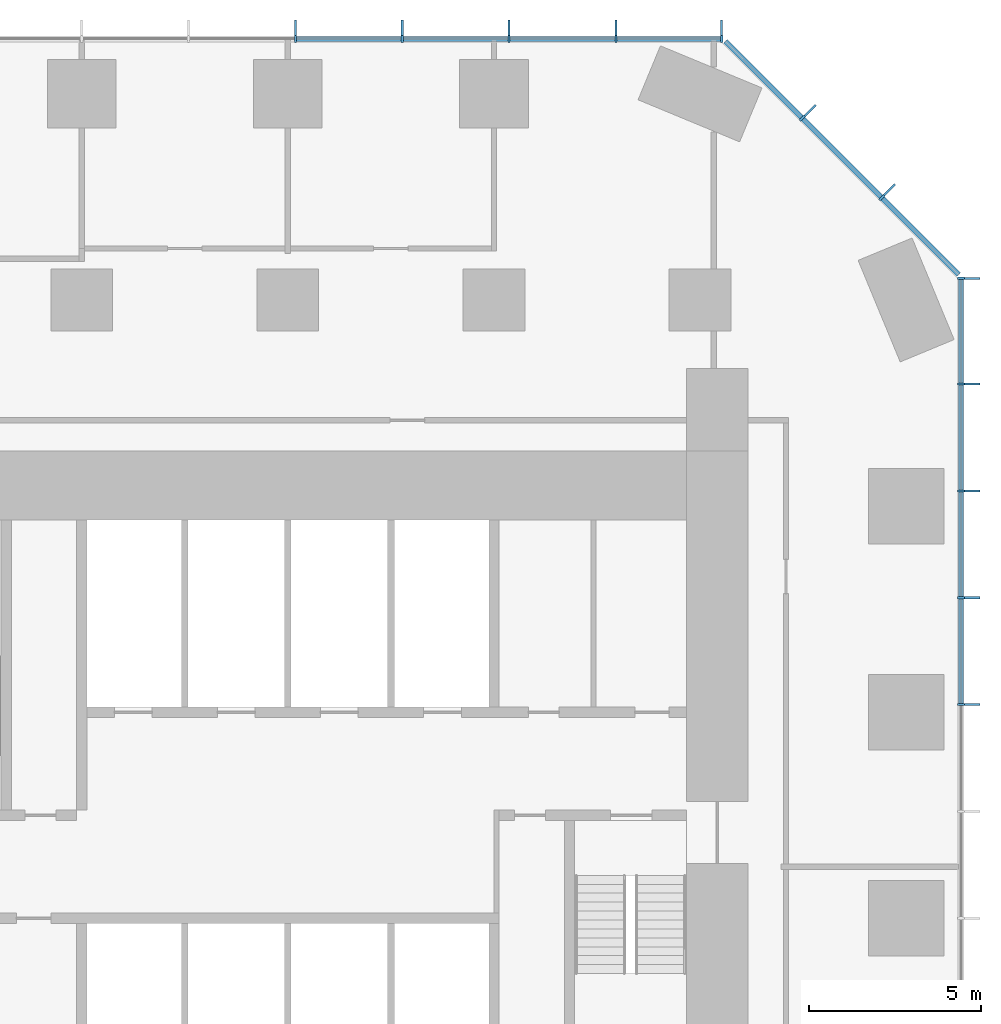
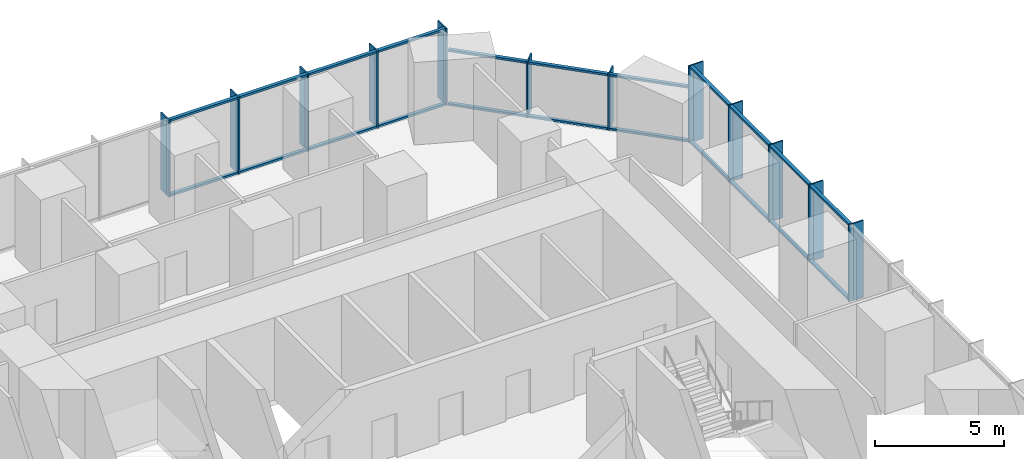
# One storey, part 6 of 12: 46 members, 3 elements without a shape of their own.
"""IFC4 building model written with IfcOpenShell, lengths in metres."""

from ifc_helpers import new_model, si_unit, direction, frame, origin, origin_2d, place, context, subcontext, project, spatial, rectangle, extrude, material, layer, layer_set, material_profile, profile_set, type_object, element, aggregate, save


model = new_model("IFC4")

# Units and contexts
model_context = context("Model", 3, precision=1e-05, world=origin(), true_north=direction((0.0, 1.0)))
body_context = subcontext(model_context, "Body", "Model", "MODEL_VIEW")
ifc_project = project(units=[si_unit("LENGTHUNIT", "METRE"), si_unit("AREAUNIT", "SQUARE_METRE"), si_unit("VOLUMEUNIT", "CUBIC_METRE"), si_unit("PLANEANGLEUNIT", "RADIAN"), si_unit("MASSUNIT", "GRAM", prefix="KILO")], contexts=[model_context])

# Site, building, storey
site_placement = place(None, origin())
site = spatial("IfcSite", under=ifc_project, at=site_placement, CompositionType="ELEMENT")
building_placement = place(site_placement, origin())
building = spatial("IfcBuilding", under=site, at=building_placement, Name="Highveld Stack Headquarters", CompositionType="ELEMENT")
storey_placement = place(building_placement, frame((0.0, 0.0, 37.699951171875)))
storey = spatial("IfcBuildingStorey", under=building, at=storey_placement, Name="L08", CompositionType="ELEMENT", Elevation=37.699951171875)

# Curtain wall, members
ifc_material_1 = material(Name="Aluminium bronze anodised", Category="aluminium")
ifc_layer_1 = layer(ifc_material_1, 0.199951171875)
ifc_layer_set_1 = layer_set([ifc_layer_1], Name="Aluminium bronze anodised")
curtain_wall_type_1 = type_object("IfcCurtainWallType", Name="CW1 TOWER UNITISED CURTAIN WALL", PredefinedType="NOTDEFINED", material=ifc_layer_set_1)
curtain_wall_1_placement = place(storey_placement, origin())
curtain_wall_1 = element("IfcCurtainWall", 1, at=curtain_wall_1_placement, inside=storey, type_object=curtain_wall_type_1, Name="Curtain wall CW1 L08 E", PredefinedType="NOTDEFINED")
ifc_material_2 = material(Name="Aluminium bronze anodised", Category="aluminium")
ifc_material_profile_1 = material_profile(ifc_material_2, rectangle(XDim=0.449951171875, YDim=0.06005859375, at=origin_2d()), Name="FIN 450x60")
ifc_profile_set_1 = profile_set([ifc_material_profile_1], Name="Aluminium bronze anodised")
member_type_1 = type_object("IfcMemberType", Name="CW1 BRONZE FIN 450x60", PredefinedType="USERDEFINED", material=ifc_profile_set_1)
member_1_placement = place(storey_placement, frame((25.925048828125, 6.220947265625, 0.0), z_axis=(0.0, 0.0, 1.0), x_axis=(-1.0, 0.0, 0.0)))
member_1 = element("IfcMember", 2, at=member_1_placement, type_object=member_type_1, Name="CW1 fin L08 9", ObjectType="FIN", PredefinedType="USERDEFINED", context=body_context, shape_type="SweptSolid", body=[
    extrude(rectangle(XDim=0.449951171875, YDim=0.06005859375, at=origin_2d()), origin(), (0.0, 0.0, 1.0), 3.650146484375),
])
member_2_placement = place(storey_placement, frame((25.925048828125, 9.331298828125, 0.0), z_axis=(0.0, 0.0, 1.0), x_axis=(-1.0, 0.0, 0.0)))
member_2 = element("IfcMember", 3, at=member_2_placement, type_object=member_type_1, Name="CW1 fin L08 10", ObjectType="FIN", PredefinedType="USERDEFINED", context=body_context, shape_type="SweptSolid", body=[
    extrude(rectangle(XDim=0.449951171875, YDim=0.06005859375, at=origin_2d()), origin(), (0.0, 0.0, 1.0), 3.650146484375),
])
member_3_placement = place(storey_placement, frame((25.925048828125, 12.44189453125, 0.0), z_axis=(0.0, 0.0, 1.0), x_axis=(-1.0, 0.0, 0.0)))
member_3 = element("IfcMember", 4, at=member_3_placement, type_object=member_type_1, Name="CW1 fin L08 11", ObjectType="FIN", PredefinedType="USERDEFINED", context=body_context, shape_type="SweptSolid", body=[
    extrude(rectangle(XDim=0.449951171875, YDim=0.06005859375, at=origin_2d()), origin(), (0.0, 0.0, 1.0), 3.650146484375),
])
member_4_placement = place(storey_placement, frame((25.925048828125, 15.55224609375, 0.0), z_axis=(0.0, 0.0, 1.0), x_axis=(-1.0, 0.0, 0.0)))
member_4 = element("IfcMember", 5, at=member_4_placement, type_object=member_type_1, Name="CW1 fin L08 12", ObjectType="FIN", PredefinedType="USERDEFINED", context=body_context, shape_type="SweptSolid", body=[
    extrude(rectangle(XDim=0.449951171875, YDim=0.06005859375, at=origin_2d()), origin(), (0.0, 0.0, 1.0), 3.650146484375),
])
member_5_placement = place(storey_placement, frame((25.925048828125, 18.630126953125, 0.0), z_axis=(0.0, 0.0, 1.0), x_axis=(-1.0, 0.0, 0.0)))
member_5 = element("IfcMember", 6, at=member_5_placement, type_object=member_type_1, Name="CW1 fin L08 13", ObjectType="FIN", PredefinedType="USERDEFINED", context=body_context, shape_type="SweptSolid", body=[
    extrude(rectangle(XDim=0.449951171875, YDim=0.06005859375, at=origin_2d()), origin(), (0.0, 0.0, 1.0), 3.650146484375),
])

curtain_wall_2_placement = place(storey_placement, origin())
curtain_wall_2 = element("IfcCurtainWall", 7, at=curtain_wall_2_placement, inside=storey, type_object=curtain_wall_type_1, Name="Curtain wall CW1 L08 N", PredefinedType="NOTDEFINED")
member_6_placement = place(storey_placement, frame((18.630126953125, 25.925048828125, 0.0), z_axis=(0.0, 0.0, 1.0), x_axis=(0.0, -1.0, 0.0)))
member_6 = element("IfcMember", 8, at=member_6_placement, type_object=member_type_1, Name="CW1 fin L08 1", ObjectType="FIN", PredefinedType="USERDEFINED", context=body_context, shape_type="SweptSolid", body=[
    extrude(rectangle(XDim=0.449951171875, YDim=0.06005859375, at=origin_2d()), origin(), (0.0, 0.0, 1.0), 3.650146484375),
])
member_7_placement = place(storey_placement, frame((15.55224609375, 25.925048828125, 0.0), z_axis=(0.0, 0.0, 1.0), x_axis=(0.0, -1.0, 0.0)))
member_7 = element("IfcMember", 9, at=member_7_placement, type_object=member_type_1, Name="CW1 fin L08 2", ObjectType="FIN", PredefinedType="USERDEFINED", context=body_context, shape_type="SweptSolid", body=[
    extrude(rectangle(XDim=0.449951171875, YDim=0.06005859375, at=origin_2d()), origin(), (0.0, 0.0, 1.0), 3.650146484375),
])
member_8_placement = place(storey_placement, frame((12.44189453125, 25.925048828125, 0.0), z_axis=(0.0, 0.0, 1.0), x_axis=(0.0, -1.0, 0.0)))
member_8 = element("IfcMember", 10, at=member_8_placement, type_object=member_type_1, Name="CW1 fin L08 3", ObjectType="FIN", PredefinedType="USERDEFINED", context=body_context, shape_type="SweptSolid", body=[
    extrude(rectangle(XDim=0.449951171875, YDim=0.06005859375, at=origin_2d()), origin(), (0.0, 0.0, 1.0), 3.650146484375),
])
member_9_placement = place(storey_placement, frame((9.331298828125, 25.925048828125, 0.0), z_axis=(0.0, 0.0, 1.0), x_axis=(0.0, -1.0, 0.0)))
member_9 = element("IfcMember", 11, at=member_9_placement, type_object=member_type_1, Name="CW1 fin L08 4", ObjectType="FIN", PredefinedType="USERDEFINED", context=body_context, shape_type="SweptSolid", body=[
    extrude(rectangle(XDim=0.449951171875, YDim=0.06005859375, at=origin_2d()), origin(), (0.0, 0.0, 1.0), 3.650146484375),
])
member_10_placement = place(storey_placement, frame((6.220947265625, 25.925048828125, 0.0), z_axis=(0.0, 0.0, 1.0), x_axis=(0.0, -1.0, 0.0)))
member_10 = element("IfcMember", 12, at=member_10_placement, type_object=member_type_1, Name="CW1 fin L08 5", ObjectType="FIN", PredefinedType="USERDEFINED", context=body_context, shape_type="SweptSolid", body=[
    extrude(rectangle(XDim=0.449951171875, YDim=0.06005859375, at=origin_2d()), origin(), (0.0, 0.0, 1.0), 3.650146484375),
])

# Member
ifc_material_3 = material(Name="Aluminium bronze anodised", Category="aluminium")
ifc_material_profile_2 = material_profile(ifc_material_3, rectangle(XDim=0.199951171875, YDim=0.06494140625, at=origin_2d()), Name="CW1 MULLION 65x200")
ifc_profile_set_2 = profile_set([ifc_material_profile_2], Name="Aluminium bronze anodised")
member_type_2 = type_object("IfcMemberType", Name="CW1 MULLION 65x200", PredefinedType="MULLION", material=ifc_profile_set_2)
member_11_placement = place(storey_placement, frame((25.60009765625, 6.220947265625, 0.0), z_axis=(0.0, 0.0, 1.0), x_axis=(-1.0, 0.0, 0.0)))
member_11 = element("IfcMember", 13, at=member_11_placement, type_object=member_type_2, Name="CW1 mullion L08 9", PredefinedType="MULLION", context=body_context, shape_type="SweptSolid", body=[
    extrude(rectangle(XDim=0.199951171875, YDim=0.06494140625, at=origin_2d()), origin(), (0.0, 0.0, 1.0), 3.650146484375),
])

member_12_placement = place(storey_placement, frame((25.60009765625, 9.331298828125, 0.0), z_axis=(0.0, 0.0, 1.0), x_axis=(-1.0, 0.0, 0.0)))
member_12 = element("IfcMember", 14, at=member_12_placement, type_object=member_type_2, Name="CW1 mullion L08 10", PredefinedType="MULLION", context=body_context, shape_type="SweptSolid", body=[
    extrude(rectangle(XDim=0.199951171875, YDim=0.06494140625, at=origin_2d()), origin(), (0.0, 0.0, 1.0), 3.650146484375),
])

member_13_placement = place(storey_placement, frame((25.60009765625, 12.44189453125, 0.0), z_axis=(0.0, 0.0, 1.0), x_axis=(-1.0, 0.0, 0.0)))
member_13 = element("IfcMember", 15, at=member_13_placement, type_object=member_type_2, Name="CW1 mullion L08 11", PredefinedType="MULLION", context=body_context, shape_type="SweptSolid", body=[
    extrude(rectangle(XDim=0.199951171875, YDim=0.06494140625, at=origin_2d()), origin(), (0.0, 0.0, 1.0), 3.650146484375),
])

member_14_placement = place(storey_placement, frame((25.60009765625, 15.55224609375, 0.0), z_axis=(0.0, 0.0, 1.0), x_axis=(-1.0, 0.0, 0.0)))
member_14 = element("IfcMember", 16, at=member_14_placement, type_object=member_type_2, Name="CW1 mullion L08 12", PredefinedType="MULLION", context=body_context, shape_type="SweptSolid", body=[
    extrude(rectangle(XDim=0.199951171875, YDim=0.06494140625, at=origin_2d()), origin(), (0.0, 0.0, 1.0), 3.650146484375),
])

member_15_placement = place(storey_placement, frame((25.60009765625, 18.630126953125, 0.0), z_axis=(0.0, 0.0, 1.0), x_axis=(-1.0, 0.0, 0.0)))
member_15 = element("IfcMember", 17, at=member_15_placement, type_object=member_type_2, Name="CW1 mullion L08 13", PredefinedType="MULLION", context=body_context, shape_type="SweptSolid", body=[
    extrude(rectangle(XDim=0.199951171875, YDim=0.06494140625, at=origin_2d()), origin(), (0.0, 0.0, 1.0), 3.650146484375),
])

member_16_placement = place(storey_placement, frame((18.630126953125, 25.60009765625, 0.0), z_axis=(0.0, 0.0, 1.0), x_axis=(0.0, -1.0, 0.0)))
member_16 = element("IfcMember", 18, at=member_16_placement, type_object=member_type_2, Name="CW1 mullion L08 1", PredefinedType="MULLION", context=body_context, shape_type="SweptSolid", body=[
    extrude(rectangle(XDim=0.199951171875, YDim=0.06494140625, at=origin_2d()), origin(), (0.0, 0.0, 1.0), 3.650146484375),
])

member_17_placement = place(storey_placement, frame((15.55224609375, 25.60009765625, 0.0), z_axis=(0.0, 0.0, 1.0), x_axis=(0.0, -1.0, 0.0)))
member_17 = element("IfcMember", 19, at=member_17_placement, type_object=member_type_2, Name="CW1 mullion L08 2", PredefinedType="MULLION", context=body_context, shape_type="SweptSolid", body=[
    extrude(rectangle(XDim=0.199951171875, YDim=0.06494140625, at=origin_2d()), origin(), (0.0, 0.0, 1.0), 3.650146484375),
])

member_18_placement = place(storey_placement, frame((12.44189453125, 25.60009765625, 0.0), z_axis=(0.0, 0.0, 1.0), x_axis=(0.0, -1.0, 0.0)))
member_18 = element("IfcMember", 20, at=member_18_placement, type_object=member_type_2, Name="CW1 mullion L08 3", PredefinedType="MULLION", context=body_context, shape_type="SweptSolid", body=[
    extrude(rectangle(XDim=0.199951171875, YDim=0.06494140625, at=origin_2d()), origin(), (0.0, 0.0, 1.0), 3.650146484375),
])

member_19_placement = place(storey_placement, frame((9.331298828125, 25.60009765625, 0.0), z_axis=(0.0, 0.0, 1.0), x_axis=(0.0, -1.0, 0.0)))
member_19 = element("IfcMember", 21, at=member_19_placement, type_object=member_type_2, Name="CW1 mullion L08 4", PredefinedType="MULLION", context=body_context, shape_type="SweptSolid", body=[
    extrude(rectangle(XDim=0.199951171875, YDim=0.06494140625, at=origin_2d()), origin(), (0.0, 0.0, 1.0), 3.650146484375),
])

member_20_placement = place(storey_placement, frame((6.220947265625, 25.60009765625, 0.0), z_axis=(0.0, 0.0, 1.0), x_axis=(0.0, -1.0, 0.0)))
member_20 = element("IfcMember", 22, at=member_20_placement, type_object=member_type_2, Name="CW1 mullion L08 5", PredefinedType="MULLION", context=body_context, shape_type="SweptSolid", body=[
    extrude(rectangle(XDim=0.199951171875, YDim=0.06494140625, at=origin_2d()), origin(), (0.0, 0.0, 1.0), 3.650146484375),
])

ifc_material_4 = material(Name="Aluminium bronze anodised", Category="aluminium")
ifc_material_profile_3 = material_profile(ifc_material_4, rectangle(XDim=0.14990234375, YDim=0.10009765625, at=origin_2d()), Name="CW1 TRANSOM 150x100")
ifc_profile_set_3 = profile_set([ifc_material_profile_3], Name="Aluminium bronze anodised")
member_type_3 = type_object("IfcMemberType", Name="CW1 STACK TRANSOM 150x100", PredefinedType="USERDEFINED", material=ifc_profile_set_3)
member_21_placement = place(storey_placement, frame((25.60009765625, 6.25341796875, 0.050048828125), z_axis=(0.0, 1.0, 0.0), x_axis=(-1.0, 0.0, 0.0)))
member_21 = element("IfcMember", 23, at=member_21_placement, type_object=member_type_3, Name="CW1 transom L08 9.1", ObjectType="TRANSOM", PredefinedType="USERDEFINED", context=body_context, shape_type="SweptSolid", body=[
    extrude(rectangle(XDim=0.14990234375, YDim=0.10009765625, at=origin_2d()), origin(), (0.0, 0.0, 1.0), 3.04541015625),
])

member_22_placement = place(storey_placement, frame((25.60009765625, 6.25341796875, 3.60009765625), z_axis=(0.0, 1.0, 0.0), x_axis=(-1.0, 0.0, 0.0)))
member_22 = element("IfcMember", 24, at=member_22_placement, type_object=member_type_3, Name="CW1 transom L08 9.2", ObjectType="TRANSOM", PredefinedType="USERDEFINED", context=body_context, shape_type="SweptSolid", body=[
    extrude(rectangle(XDim=0.14990234375, YDim=0.10009765625, at=origin_2d()), origin(), (0.0, 0.0, 1.0), 3.04541015625),
])

member_23_placement = place(storey_placement, frame((25.60009765625, 9.36376953125, 0.050048828125), z_axis=(0.0, 1.0, 0.0), x_axis=(-1.0, 0.0, 0.0)))
member_23 = element("IfcMember", 25, at=member_23_placement, type_object=member_type_3, Name="CW1 transom L08 10.1", ObjectType="TRANSOM", PredefinedType="USERDEFINED", context=body_context, shape_type="SweptSolid", body=[
    extrude(rectangle(XDim=0.14990234375, YDim=0.10009765625, at=origin_2d()), origin(), (0.0, 0.0, 1.0), 3.04541015625),
])

member_24_placement = place(storey_placement, frame((25.60009765625, 9.36376953125, 3.60009765625), z_axis=(0.0, 1.0, 0.0), x_axis=(-1.0, 0.0, 0.0)))
member_24 = element("IfcMember", 26, at=member_24_placement, type_object=member_type_3, Name="CW1 transom L08 10.2", ObjectType="TRANSOM", PredefinedType="USERDEFINED", context=body_context, shape_type="SweptSolid", body=[
    extrude(rectangle(XDim=0.14990234375, YDim=0.10009765625, at=origin_2d()), origin(), (0.0, 0.0, 1.0), 3.04541015625),
])

member_25_placement = place(storey_placement, frame((25.60009765625, 12.474365234375, 0.050048828125), z_axis=(0.0, 1.0, 0.0), x_axis=(-1.0, 0.0, 0.0)))
member_25 = element("IfcMember", 27, at=member_25_placement, type_object=member_type_3, Name="CW1 transom L08 11.1", ObjectType="TRANSOM", PredefinedType="USERDEFINED", context=body_context, shape_type="SweptSolid", body=[
    extrude(rectangle(XDim=0.14990234375, YDim=0.10009765625, at=origin_2d()), origin(), (0.0, 0.0, 1.0), 3.04541015625),
])

member_26_placement = place(storey_placement, frame((25.60009765625, 12.474365234375, 3.60009765625), z_axis=(0.0, 1.0, 0.0), x_axis=(-1.0, 0.0, 0.0)))
member_26 = element("IfcMember", 28, at=member_26_placement, type_object=member_type_3, Name="CW1 transom L08 11.2", ObjectType="TRANSOM", PredefinedType="USERDEFINED", context=body_context, shape_type="SweptSolid", body=[
    extrude(rectangle(XDim=0.14990234375, YDim=0.10009765625, at=origin_2d()), origin(), (0.0, 0.0, 1.0), 3.04541015625),
])

member_27_placement = place(storey_placement, frame((25.60009765625, 15.584716796875, 0.050048828125), z_axis=(0.0, 1.0, 0.0), x_axis=(-1.0, 0.0, 0.0)))
member_27 = element("IfcMember", 29, at=member_27_placement, type_object=member_type_3, Name="CW1 transom L08 12.1", ObjectType="TRANSOM", PredefinedType="USERDEFINED", context=body_context, shape_type="SweptSolid", body=[
    extrude(rectangle(XDim=0.14990234375, YDim=0.10009765625, at=origin_2d()), origin(), (0.0, 0.0, 1.0), 3.012939453125),
])

member_28_placement = place(storey_placement, frame((25.60009765625, 15.584716796875, 3.60009765625), z_axis=(0.0, 1.0, 0.0), x_axis=(-1.0, 0.0, 0.0)))
member_28 = element("IfcMember", 30, at=member_28_placement, type_object=member_type_3, Name="CW1 transom L08 12.2", ObjectType="TRANSOM", PredefinedType="USERDEFINED", context=body_context, shape_type="SweptSolid", body=[
    extrude(rectangle(XDim=0.14990234375, YDim=0.10009765625, at=origin_2d()), origin(), (0.0, 0.0, 1.0), 3.012939453125),
])

aggregate(curtain_wall_1, [member_11, member_1, member_12, member_2, member_13, member_3, member_14, member_4, member_15, member_5, member_21, member_22, member_23, member_24, member_25, member_26, member_27, member_28])

member_29_placement = place(storey_placement, frame((18.59765625, 25.60009765625, 0.050048828125), z_axis=(-1.0, 0.0, 0.0), x_axis=(0.0, -1.0, 0.0)))
member_29 = element("IfcMember", 31, at=member_29_placement, type_object=member_type_3, Name="CW1 transom L08 1.1", ObjectType="TRANSOM", PredefinedType="USERDEFINED", context=body_context, shape_type="SweptSolid", body=[
    extrude(rectangle(XDim=0.14990234375, YDim=0.10009765625, at=origin_2d()), origin(), (0.0, 0.0, 1.0), 3.012939453125),
])

member_30_placement = place(storey_placement, frame((18.59765625, 25.60009765625, 3.60009765625), z_axis=(-1.0, 0.0, 0.0), x_axis=(0.0, -1.0, 0.0)))
member_30 = element("IfcMember", 32, at=member_30_placement, type_object=member_type_3, Name="CW1 transom L08 1.2", ObjectType="TRANSOM", PredefinedType="USERDEFINED", context=body_context, shape_type="SweptSolid", body=[
    extrude(rectangle(XDim=0.14990234375, YDim=0.10009765625, at=origin_2d()), origin(), (0.0, 0.0, 1.0), 3.012939453125),
])

member_31_placement = place(storey_placement, frame((15.519775390625, 25.60009765625, 0.050048828125), z_axis=(-1.0, 0.0, 0.0), x_axis=(0.0, -1.0, 0.0)))
member_31 = element("IfcMember", 33, at=member_31_placement, type_object=member_type_3, Name="CW1 transom L08 2.1", ObjectType="TRANSOM", PredefinedType="USERDEFINED", context=body_context, shape_type="SweptSolid", body=[
    extrude(rectangle(XDim=0.14990234375, YDim=0.10009765625, at=origin_2d()), origin(), (0.0, 0.0, 1.0), 3.04541015625),
])

member_32_placement = place(storey_placement, frame((15.519775390625, 25.60009765625, 3.60009765625), z_axis=(-1.0, 0.0, 0.0), x_axis=(0.0, -1.0, 0.0)))
member_32 = element("IfcMember", 34, at=member_32_placement, type_object=member_type_3, Name="CW1 transom L08 2.2", ObjectType="TRANSOM", PredefinedType="USERDEFINED", context=body_context, shape_type="SweptSolid", body=[
    extrude(rectangle(XDim=0.14990234375, YDim=0.10009765625, at=origin_2d()), origin(), (0.0, 0.0, 1.0), 3.04541015625),
])

member_33_placement = place(storey_placement, frame((12.4091796875, 25.60009765625, 0.050048828125), z_axis=(-1.0, 0.0, 0.0), x_axis=(0.0, -1.0, 0.0)))
member_33 = element("IfcMember", 35, at=member_33_placement, type_object=member_type_3, Name="CW1 transom L08 3.1", ObjectType="TRANSOM", PredefinedType="USERDEFINED", context=body_context, shape_type="SweptSolid", body=[
    extrude(rectangle(XDim=0.14990234375, YDim=0.10009765625, at=origin_2d()), origin(), (0.0, 0.0, 1.0), 3.045166015625),
])

member_34_placement = place(storey_placement, frame((12.4091796875, 25.60009765625, 3.60009765625), z_axis=(-1.0, 0.0, 0.0), x_axis=(0.0, -1.0, 0.0)))
member_34 = element("IfcMember", 36, at=member_34_placement, type_object=member_type_3, Name="CW1 transom L08 3.2", ObjectType="TRANSOM", PredefinedType="USERDEFINED", context=body_context, shape_type="SweptSolid", body=[
    extrude(rectangle(XDim=0.14990234375, YDim=0.10009765625, at=origin_2d()), origin(), (0.0, 0.0, 1.0), 3.045166015625),
])

member_35_placement = place(storey_placement, frame((9.298828125, 25.60009765625, 0.050048828125), z_axis=(-1.0, 0.0, 0.0), x_axis=(0.0, -1.0, 0.0)))
member_35 = element("IfcMember", 37, at=member_35_placement, type_object=member_type_3, Name="CW1 transom L08 4.1", ObjectType="TRANSOM", PredefinedType="USERDEFINED", context=body_context, shape_type="SweptSolid", body=[
    extrude(rectangle(XDim=0.14990234375, YDim=0.10009765625, at=origin_2d()), origin(), (0.0, 0.0, 1.0), 3.04541015625),
])

member_36_placement = place(storey_placement, frame((9.298828125, 25.60009765625, 3.60009765625), z_axis=(-1.0, 0.0, 0.0), x_axis=(0.0, -1.0, 0.0)))
member_36 = element("IfcMember", 38, at=member_36_placement, type_object=member_type_3, Name="CW1 transom L08 4.2", ObjectType="TRANSOM", PredefinedType="USERDEFINED", context=body_context, shape_type="SweptSolid", body=[
    extrude(rectangle(XDim=0.14990234375, YDim=0.10009765625, at=origin_2d()), origin(), (0.0, 0.0, 1.0), 3.04541015625),
])

aggregate(curtain_wall_2, [member_16, member_6, member_17, member_7, member_18, member_8, member_19, member_9, member_20, member_10, member_29, member_30, member_31, member_32, member_33, member_34, member_35, member_36])

# Curtain wall, members
ifc_material_5 = material(Name="Aluminium bronze anodised", Category="aluminium")
ifc_layer_2 = layer(ifc_material_5, 0.199951171875)
ifc_layer_set_2 = layer_set([ifc_layer_2], Name="Aluminium bronze anodised")
curtain_wall_type_2 = type_object("IfcCurtainWallType", Name="CW2 TOWER CHAMFER UNITISED CURTAIN WALL", PredefinedType="NOTDEFINED", material=ifc_layer_set_2)
curtain_wall_3_placement = place(storey_placement, origin())
curtain_wall_3 = element("IfcCurtainWall", 39, at=curtain_wall_3_placement, inside=storey, type_object=curtain_wall_type_2, Name="Curtain wall CW2 L08 NE", PredefinedType="NOTDEFINED")
ifc_material_6 = material(Name="Aluminium bronze anodised", Category="aluminium")
ifc_material_profile_4 = material_profile(ifc_material_6, rectangle(XDim=0.449951171875, YDim=0.06005859375, at=origin_2d()), Name="FIN 450x60")
ifc_profile_set_4 = profile_set([ifc_material_profile_4], Name="Aluminium bronze anodised")
member_type_4 = type_object("IfcMemberType", Name="CW2 BRONZE FIN 450x60", PredefinedType="USERDEFINED", material=ifc_profile_set_4)
member_37_placement = place(storey_placement, frame((23.517333984375, 21.204833984375, 0.0), z_axis=(0.0, 0.0, 1.0), x_axis=(-0.707106781187, -0.707106781187, 0.0)))
member_37 = element("IfcMember", 40, at=member_37_placement, type_object=member_type_4, Name="CW2 fin L08 1", ObjectType="FIN", PredefinedType="USERDEFINED", context=body_context, shape_type="SweptSolid", body=[
    extrude(rectangle(XDim=0.449951171875, YDim=0.06005859375, at=origin_2d()), origin(), (0.0, 0.0, 1.0), 2.650146484375),
])
member_38_placement = place(storey_placement, frame((21.204833984375, 23.517333984375, 0.0), z_axis=(0.0, 0.0, 1.0), x_axis=(-0.707106781187, -0.707106781187, 0.0)))
member_38 = element("IfcMember", 41, at=member_38_placement, type_object=member_type_4, Name="CW2 fin L08 2", ObjectType="FIN", PredefinedType="USERDEFINED", context=body_context, shape_type="SweptSolid", body=[
    extrude(rectangle(XDim=0.449951171875, YDim=0.06005859375, at=origin_2d()), origin(), (0.0, 0.0, 1.0), 2.650146484375),
])
ifc_material_7 = material(Name="Aluminium bronze anodised", Category="aluminium")
ifc_material_profile_5 = material_profile(ifc_material_7, rectangle(XDim=0.199951171875, YDim=0.06494140625, at=origin_2d()), Name="CW2 MULLION 65x200")
ifc_profile_set_5 = profile_set([ifc_material_profile_5], Name="Aluminium bronze anodised")
member_type_5 = type_object("IfcMemberType", Name="CW2 MULLION 65x200", PredefinedType="MULLION", material=ifc_profile_set_5)
member_39_placement = place(storey_placement, frame((23.28759765625, 20.97509765625, 0.0), z_axis=(0.0, 0.0, 1.0), x_axis=(-0.707106781187, -0.707106781187, 0.0)))
member_39 = element("IfcMember", 42, at=member_39_placement, type_object=member_type_5, Name="CW2 mullion L08 1", PredefinedType="MULLION", context=body_context, shape_type="SweptSolid", body=[
    extrude(rectangle(XDim=0.199951171875, YDim=0.06494140625, at=origin_2d()), origin(), (0.0, 0.0, 1.0), 2.650146484375),
])
member_40_placement = place(storey_placement, frame((20.97509765625, 23.28759765625, 0.0), z_axis=(0.0, 0.0, 1.0), x_axis=(-0.707106781187, -0.707106781187, 0.0)))
member_40 = element("IfcMember", 43, at=member_40_placement, type_object=member_type_5, Name="CW2 mullion L08 2", PredefinedType="MULLION", context=body_context, shape_type="SweptSolid", body=[
    extrude(rectangle(XDim=0.199951171875, YDim=0.06494140625, at=origin_2d()), origin(), (0.0, 0.0, 1.0), 2.650146484375),
])
ifc_material_8 = material(Name="Aluminium bronze anodised", Category="aluminium")
ifc_material_profile_6 = material_profile(ifc_material_8, rectangle(XDim=0.14990234375, YDim=0.10009765625, at=origin_2d()), Name="CW2 TRANSOM 150x100")
ifc_profile_set_6 = profile_set([ifc_material_profile_6], Name="Aluminium bronze anodised")
member_type_6 = type_object("IfcMemberType", Name="CW2 STACK TRANSOM 150x100", PredefinedType="USERDEFINED", material=ifc_profile_set_6)
member_41_placement = place(storey_placement, frame((25.529296875, 18.7333984375, 0.050048828125), z_axis=(-0.707106781187, 0.707106781187, 0.0), x_axis=(-0.707106781187, -0.707106781187, 0.0)))
member_41 = element("IfcMember", 44, at=member_41_placement, type_object=member_type_6, Name="CW2 transom L08 1.1", ObjectType="TRANSOM", PredefinedType="USERDEFINED", context=body_context, shape_type="SweptSolid", body=[
    extrude(rectangle(XDim=0.14990234375, YDim=0.10009765625, at=origin_2d()), origin(), (0.0, 0.0, 1.0), 3.1376953125),
])
member_42_placement = place(storey_placement, frame((25.529296875, 18.7333984375, 2.60009765625), z_axis=(-0.707106781187, 0.707106781187, 0.0), x_axis=(-0.707106781187, -0.707106781187, 0.0)))
member_42 = element("IfcMember", 45, at=member_42_placement, type_object=member_type_6, Name="CW2 transom L08 1.2", ObjectType="TRANSOM", PredefinedType="USERDEFINED", context=body_context, shape_type="SweptSolid", body=[
    extrude(rectangle(XDim=0.14990234375, YDim=0.10009765625, at=origin_2d()), origin(), (0.0, 0.0, 1.0), 3.1376953125),
])
member_43_placement = place(storey_placement, frame((23.2646484375, 20.998046875, 0.050048828125), z_axis=(-0.707106781187, 0.707106781187, 0.0), x_axis=(-0.707106781187, -0.707106781187, 0.0)))
member_43 = element("IfcMember", 46, at=member_43_placement, type_object=member_type_6, Name="CW2 transom L08 2.1", ObjectType="TRANSOM", PredefinedType="USERDEFINED", context=body_context, shape_type="SweptSolid", body=[
    extrude(rectangle(XDim=0.14990234375, YDim=0.10009765625, at=origin_2d()), origin(), (0.0, 0.0, 1.0), 3.20556640625),
])
member_44_placement = place(storey_placement, frame((23.2646484375, 20.998046875, 2.60009765625), z_axis=(-0.707106781187, 0.707106781187, 0.0), x_axis=(-0.707106781187, -0.707106781187, 0.0)))
member_44 = element("IfcMember", 47, at=member_44_placement, type_object=member_type_6, Name="CW2 transom L08 2.2", ObjectType="TRANSOM", PredefinedType="USERDEFINED", context=body_context, shape_type="SweptSolid", body=[
    extrude(rectangle(XDim=0.14990234375, YDim=0.10009765625, at=origin_2d()), origin(), (0.0, 0.0, 1.0), 3.20556640625),
])
member_45_placement = place(storey_placement, frame((20.9521484375, 23.310546875, 0.050048828125), z_axis=(-0.707106781187, 0.707106781187, 0.0), x_axis=(-0.707106781187, -0.707106781187, 0.0)))
member_45 = element("IfcMember", 48, at=member_45_placement, type_object=member_type_6, Name="CW2 transom L08 3.1", ObjectType="TRANSOM", PredefinedType="USERDEFINED", context=body_context, shape_type="SweptSolid", body=[
    extrude(rectangle(XDim=0.14990234375, YDim=0.10009765625, at=origin_2d()), origin(), (0.0, 0.0, 1.0), 3.1376953125),
])
member_46_placement = place(storey_placement, frame((20.9521484375, 23.310546875, 2.60009765625), z_axis=(-0.707106781187, 0.707106781187, 0.0), x_axis=(-0.707106781187, -0.707106781187, 0.0)))
member_46 = element("IfcMember", 49, at=member_46_placement, type_object=member_type_6, Name="CW2 transom L08 3.2", ObjectType="TRANSOM", PredefinedType="USERDEFINED", context=body_context, shape_type="SweptSolid", body=[
    extrude(rectangle(XDim=0.14990234375, YDim=0.10009765625, at=origin_2d()), origin(), (0.0, 0.0, 1.0), 3.1376953125),
])
aggregate(curtain_wall_3, [member_39, member_37, member_40, member_38, member_41, member_42, member_43, member_44, member_45, member_46])

save(model, "model.ifc")
